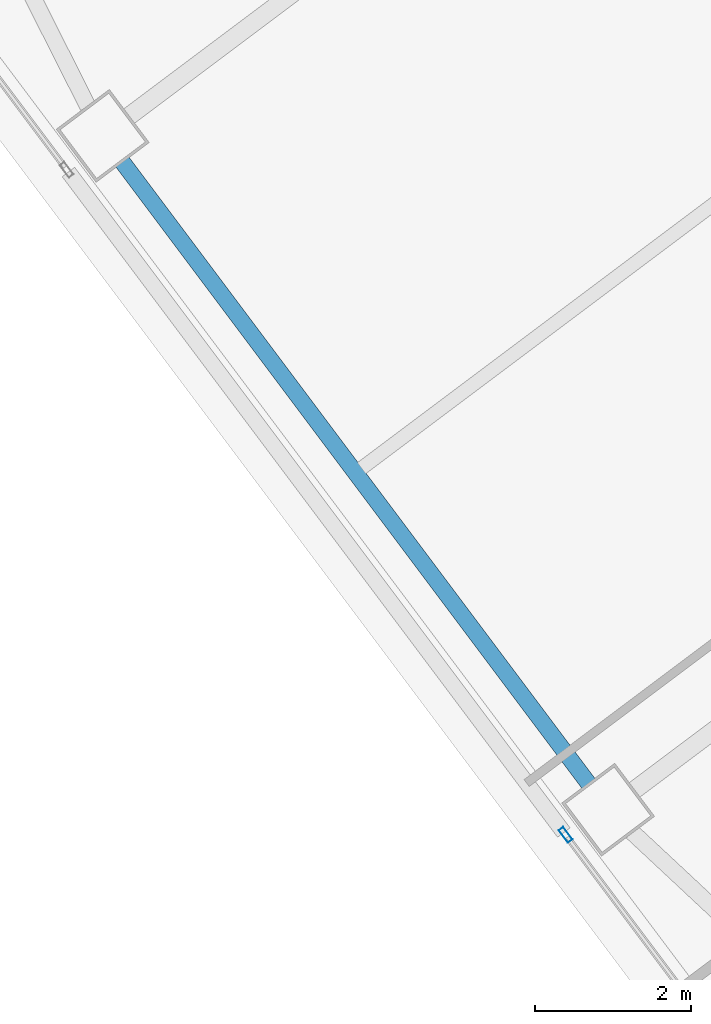
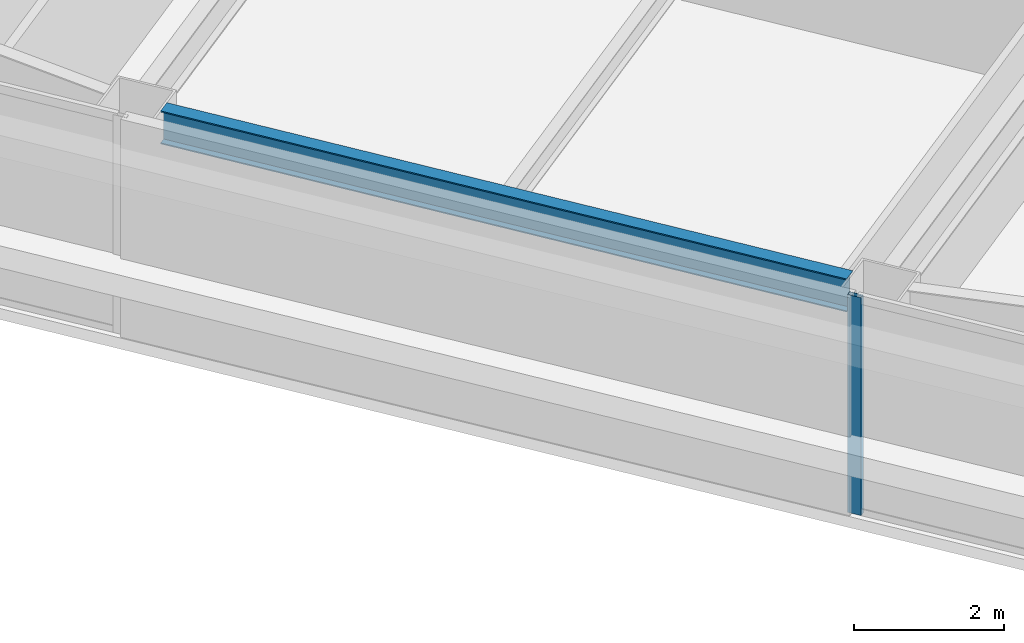
# One storey, part 16 of 41: 1 beam, 1 member, 1 element without a shape of its own.
"""IFC4 building model written with IfcOpenShell, lengths in metres."""

from ifc_helpers import new_model, si_unit, direction, frame, origin, origin_2d, place, context, subcontext, project, spatial, hollow_rectangle, i_section, extrude, material, material_profile, profile_set, type_object, element, aggregate, save


model = new_model("IFC4")

# Units and contexts
model_context = context("Model", 3, precision=1e-05, world=origin(), true_north=direction((0.0, 1.0)))
body_context = subcontext(model_context, "Body", "Model", "MODEL_VIEW")
ifc_project = project(units=[si_unit("LENGTHUNIT", "METRE"), si_unit("AREAUNIT", "SQUARE_METRE"), si_unit("VOLUMEUNIT", "CUBIC_METRE"), si_unit("PLANEANGLEUNIT", "RADIAN"), si_unit("MASSUNIT", "GRAM", prefix="KILO")], contexts=[model_context])

# Site, building, storey
site_placement = place(None, origin())
site = spatial("IfcSite", under=ifc_project, at=site_placement, CompositionType="ELEMENT")
building_placement = place(site_placement, origin())
building = spatial("IfcBuilding", under=site, at=building_placement, Name="Tashvorn Skyway Center", CompositionType="ELEMENT")
storey_placement = place(building_placement, frame((0.0, 0.0, 117.949951171875)))
storey = spatial("IfcBuildingStorey", under=building, at=storey_placement, Name="L31", CompositionType="ELEMENT", Elevation=117.949951171875)

# Beam
ifc_material_1 = material(Name="Steel ASTM A992 Grade 50", Category="steel")
ifc_material_profile_1 = material_profile(ifc_material_1, i_section(OverallWidth=0.2109375, OverallDepth=0.5390625, WebThickness=0.01171875, FlangeThickness=0.018798828125, at=origin_2d()), Name="W21X73")
ifc_profile_set_1 = profile_set([ifc_material_profile_1], Name="Steel ASTM A992 Grade 50")
beam_type = type_object("IfcBeamType", Name="BM-SPANDREL-W21X73", PredefinedType="SPANDREL", material=ifc_profile_set_1)
beam_placement = place(storey_placement, frame((96.89208984375, 25.39404296875, 3.1005859375), z_axis=(0.599988234018, -0.800008824351, 0.0), x_axis=(0.800008824351, 0.599988234018, 0.0)))
element("IfcBeam", 1, at=beam_placement, inside=storey, type_object=beam_type, Name="Tower 2 L31 Spandrel Beam 11", PredefinedType="SPANDREL", context=body_context, shape_type="SweptSolid", body=[
    extrude(i_section(OverallWidth=0.2109375, OverallDepth=0.5390625, WebThickness=0.01171875, FlangeThickness=0.018798828125, at=origin_2d()), origin(), (0.0, 0.0, 1.0), 9.9599609375),
])

# Curtain wall, member
ifc_material_2 = material(Name="Thermally broken bronze-anodized aluminium 6063-T6", Category="aluminium")
curtain_wall_type = type_object("IfcCurtainWallType", Name="CW-CW-Z3", PredefinedType="NOTDEFINED", material=ifc_material_2)
curtain_wall_placement = place(storey_placement, origin())
curtain_wall = element("IfcCurtainWall", 2, at=curtain_wall_placement, inside=storey, type_object=curtain_wall_type, Name="Tower 2 L31 West Unitised Curtain Wall Glazing Group 1", PredefinedType="NOTDEFINED")
ifc_material_profile_2 = material_profile(ifc_material_2, hollow_rectangle(XDim=0.074951171875, YDim=0.199951171875, WallThickness=0.00439453125, at=origin_2d()), Name="ALU-MULL-75x200")
ifc_profile_set_2 = profile_set([ifc_material_profile_2], Name="Thermally broken bronze-anodized aluminium 6063-T6")
member_type = type_object("IfcMemberType", Name="CWM-CW-Z3", PredefinedType="MULLION", material=ifc_profile_set_2)
member_placement = place(storey_placement, frame((102.574462890625, 16.767333984375, 0.0), z_axis=(0.0, 0.0, 1.0), x_axis=(-0.799998866489, -0.600001511345, 0.0)))
member = element("IfcMember", 3, at=member_placement, type_object=member_type, Name="CW-Z3 mullion 2", PredefinedType="MULLION", context=body_context, shape_type="SweptSolid", body=[
    extrude(hollow_rectangle(XDim=0.074951171875, YDim=0.199951171875, WallThickness=0.00439453125, at=origin_2d()), origin(), (0.0, 0.0, 1.0), 3.550048828125),
])
aggregate(curtain_wall, [member])

save(model, "model.ifc")
